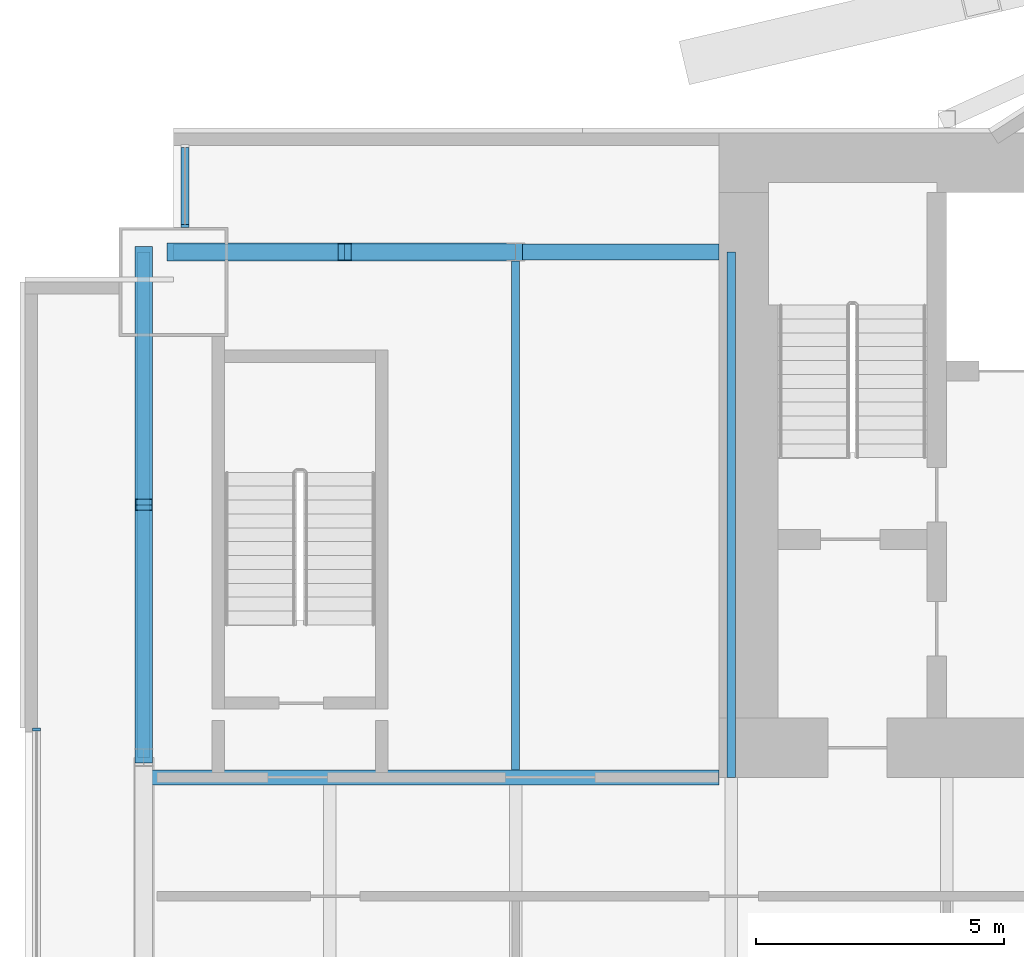
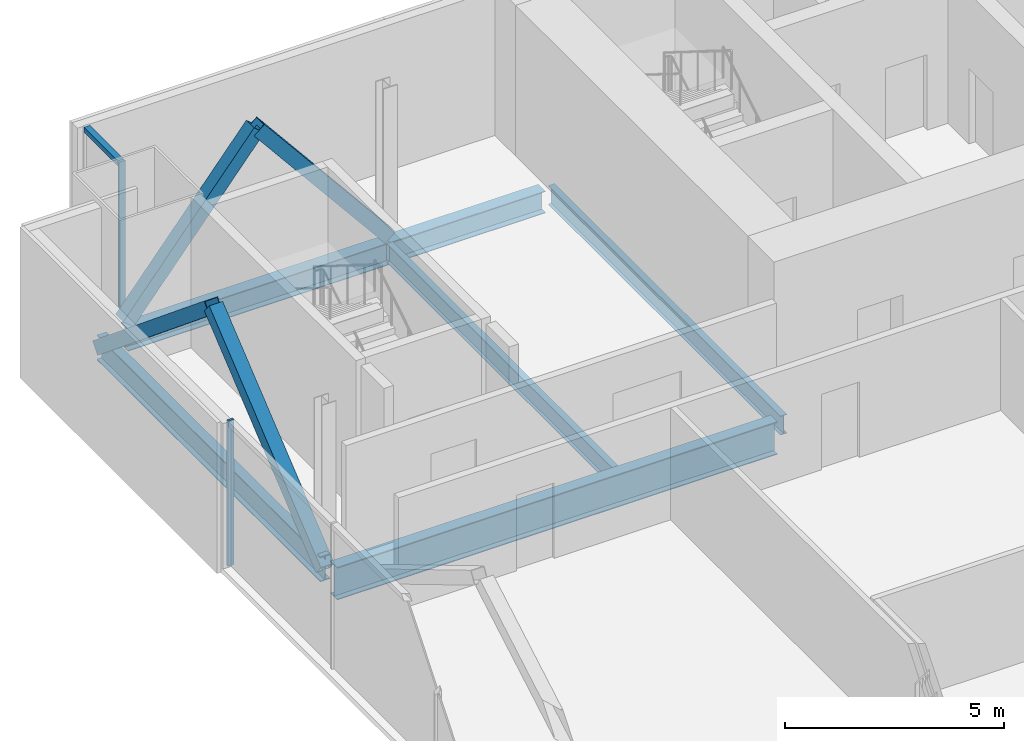
# One storey, part 8 of 22: 7 members, 6 beams, 2 elements without a shape of their own.
"""IFC4 building model written with IfcOpenShell, lengths in metres."""

from ifc_helpers import new_model, si_unit, direction, frame, origin, origin_2d, place, context, subcontext, project, spatial, rectangle, hollow_rectangle, i_section, extrude, material, material_profile, profile_set, type_object, element, aggregate, save


model = new_model("IFC4")

# Units and contexts
model_context = context("Model", 3, precision=1e-05, world=origin(), true_north=direction((0.0, 1.0)))
body_context = subcontext(model_context, "Body", "Model", "MODEL_VIEW")
ifc_project = project(units=[si_unit("LENGTHUNIT", "METRE"), si_unit("AREAUNIT", "SQUARE_METRE"), si_unit("VOLUMEUNIT", "CUBIC_METRE"), si_unit("PLANEANGLEUNIT", "RADIAN"), si_unit("MASSUNIT", "GRAM", prefix="KILO")], contexts=[model_context])

# Site, building, storey
site_placement = place(None, origin())
site = spatial("IfcSite", under=ifc_project, at=site_placement, CompositionType="ELEMENT")
building_placement = place(site_placement, origin())
building = spatial("IfcBuilding", under=site, at=building_placement, Name="Bicima Exchange Tower", CompositionType="ELEMENT")
storey_placement = place(building_placement, frame((0.0, 0.0, 254.0)))
storey = spatial("IfcBuildingStorey", under=building, at=storey_placement, Name="L57", CompositionType="ELEMENT", Elevation=254.0)

# Beam
ifc_material_1 = material(Name="Steel ASTM A992 Gr 50", Category="steel")
ifc_material_profile_1 = material_profile(ifc_material_1, i_section(OverallWidth=0.3046875, OverallDepth=0.911865234375, WebThickness=0.015869140625, FlangeThickness=0.02392578125, at=origin_2d()))
ifc_profile_set_1 = profile_set([ifc_material_profile_1], Name="Steel ASTM A992 Gr 50")
beam_type_1 = type_object("IfcBeamType", Name="Core-line girder W36x150", PredefinedType="BEAM", material=ifc_profile_set_1)
beam_1_placement = place(storey_placement, frame((-22.0, -13.0, -0.60595703125), z_axis=(-1.0, 0.0, 0.0), x_axis=(0.0, -1.0, 0.0)))
element("IfcBeam", 1, at=beam_1_placement, inside=storey, type_object=beam_type_1, Name="Core-line girder", PredefinedType="BEAM", context=body_context, shape_type="SweptSolid", body=[
    extrude(i_section(OverallWidth=0.3046875, OverallDepth=0.911865234375, WebThickness=0.015869140625, FlangeThickness=0.02392578125, at=origin_2d()), origin(), (0.0, 0.0, 1.0), 11.60009765625),
])

# Curtain wall, member
ifc_material_2 = material(Name="Anodised bronze aluminium", Category="aluminium")
curtain_wall_type_1 = type_object("IfcCurtainWallType", Name="End face glass wall", PredefinedType="NOTDEFINED", material=ifc_material_2)
curtain_wall_1_placement = place(storey_placement, origin())
curtain_wall_1 = element("IfcCurtainWall", 2, at=curtain_wall_1_placement, inside=storey, type_object=curtain_wall_type_1, Name="End face glass wall L57 run 2", PredefinedType="NOTDEFINED")
ifc_material_profile_2 = material_profile(ifc_material_2, rectangle(XDim=0.159912109375, YDim=0.06005859375, at=origin_2d()))
ifc_profile_set_2 = profile_set([ifc_material_profile_2], Name="Anodised bronze aluminium")
member_type_1 = type_object("IfcMemberType", Name="End face glass wall mullion 60 x 160", PredefinedType="MULLION", material=ifc_profile_set_2)
member_1_placement = place(storey_placement, frame((-35.77001953125, -12.030029296875, 0.0), z_axis=(0.0, 0.0, 1.0), x_axis=(1.0, 0.0, 0.0)))
member_1 = element("IfcMember", 3, at=member_1_placement, type_object=member_type_1, Name="End face glass wall mullion 1", PredefinedType="MULLION", context=body_context, shape_type="SweptSolid", body=[
    extrude(rectangle(XDim=0.159912109375, YDim=0.06005859375, at=origin_2d()), origin(), (0.0, 0.0, 1.0), 4.050048828125),
])
aggregate(curtain_wall_1, [member_1])

# Beams
ifc_material_profile_3 = material_profile(ifc_material_1, i_section(OverallWidth=0.256591796875, OverallDepth=0.693359375, WebThickness=0.014404296875, FlangeThickness=0.023681640625, at=origin_2d()))
ifc_profile_set_3 = profile_set([ifc_material_profile_3], Name="Steel ASTM A992 Gr 50")
beam_type_2 = type_object("IfcBeamType", Name="End girder W27x114", PredefinedType="BEAM", material=ifc_profile_set_3)
beam_2_placement = place(storey_placement, frame((-33.60009765625, -2.39990234375, -0.49658203125), z_axis=(0.0, -1.0, 0.0), x_axis=(1.0, 0.0, 0.0)))
element("IfcBeam", 4, at=beam_2_placement, inside=storey, type_object=beam_type_2, Name="End girder", PredefinedType="BEAM", context=body_context, shape_type="SweptSolid", body=[
    extrude(i_section(OverallWidth=0.256591796875, OverallDepth=0.693359375, WebThickness=0.014404296875, FlangeThickness=0.023681640625, at=origin_2d()), origin(), (0.0, 0.0, 1.0), 10.2001953125),
])
ifc_material_profile_4 = material_profile(ifc_material_1, i_section(OverallWidth=0.165771484375, OverallDepth=0.5283203125, WebThickness=0.009765625, FlangeThickness=0.013671875, at=origin_2d()))
ifc_profile_set_4 = profile_set([ifc_material_profile_4], Name="Steel ASTM A992 Gr 50")
beam_type_3 = type_object("IfcBeamType", Name="Floor beam W21x50", PredefinedType="JOIST", material=ifc_profile_set_4)
beam_3_placement = place(storey_placement, frame((-26.10009765625, -2.5625, -0.414306640625), z_axis=(0.0, -1.0, 0.0), x_axis=(1.0, 0.0, 0.0)))
element("IfcBeam", 5, at=beam_3_placement, inside=storey, type_object=beam_type_3, Name="Floor beam", PredefinedType="JOIST", context=body_context, shape_type="SweptSolid", body=[
    extrude(i_section(OverallWidth=0.165771484375, OverallDepth=0.5283203125, WebThickness=0.009765625, FlangeThickness=0.013671875, at=origin_2d()), origin(), (0.0, 0.0, 1.0), 10.28515625),
])
beam_4_placement = place(storey_placement, frame((-21.75, -2.39990234375, -0.414306640625), z_axis=(0.0, -1.0, 0.0), x_axis=(1.0, 0.0, 0.0)))
element("IfcBeam", 6, at=beam_4_placement, inside=storey, type_object=beam_type_3, Name="Floor beam", PredefinedType="JOIST", context=body_context, shape_type="SweptSolid", body=[
    extrude(i_section(OverallWidth=0.165771484375, OverallDepth=0.5283203125, WebThickness=0.009765625, FlangeThickness=0.013671875, at=origin_2d()), origin(), (0.0, 0.0, 1.0), 10.60009765625),
])

# Curtain wall, members
curtain_wall_type_2 = type_object("IfcCurtainWallType", Name="Front glass wall", PredefinedType="NOTDEFINED", material=ifc_material_2)
curtain_wall_2_placement = place(storey_placement, origin())
curtain_wall_2 = element("IfcCurtainWall", 7, at=curtain_wall_2_placement, inside=storey, type_object=curtain_wall_type_2, Name="Front glass wall L57 run 1", PredefinedType="NOTDEFINED")
member_type_2 = type_object("IfcMemberType", Name="Front glass wall mullion 60 x 160", PredefinedType="MULLION", material=ifc_profile_set_2)
member_2_placement = place(storey_placement, frame((-32.77001953125, -1.8701171875, 0.0), z_axis=(0.0, 0.0, 1.0), x_axis=(1.0, 0.0, 0.0)))
member_2 = element("IfcMember", 8, at=member_2_placement, type_object=member_type_2, Name="Front glass wall mullion 2", PredefinedType="MULLION", context=body_context, shape_type="SweptSolid", body=[
    extrude(rectangle(XDim=0.159912109375, YDim=0.06005859375, at=origin_2d()), origin(), (0.0, 0.0, 1.0), 4.050048828125),
])
ifc_material_profile_5 = material_profile(ifc_material_2, rectangle(XDim=0.159912109375, YDim=0.139892578125, at=origin_2d()))
ifc_profile_set_5 = profile_set([ifc_material_profile_5], Name="Anodised bronze aluminium")
member_type_3 = type_object("IfcMemberType", Name="Front glass wall transom 140 x 160", PredefinedType="USERDEFINED", material=ifc_profile_set_5)
member_3_placement = place(storey_placement, frame((-32.77001953125, -0.2900390625, 3.97998046875), z_axis=(0.0, -1.0, 0.0), x_axis=(1.0, 0.0, 0.0)))
member_3 = element("IfcMember", 9, at=member_3_placement, type_object=member_type_3, Name="Front glass wall transom 1.1", ObjectType="TRANSOM", PredefinedType="USERDEFINED", context=body_context, shape_type="SweptSolid", body=[
    extrude(rectangle(XDim=0.159912109375, YDim=0.139892578125, at=origin_2d()), origin(), (0.0, 0.0, 1.0), 1.550048828125),
])
aggregate(curtain_wall_2, [member_2, member_3])

# Members
ifc_material_3 = material(Name="Steel ASTM A572 Gr 50", Category="steel")
ifc_material_profile_6 = material_profile(ifc_material_3, hollow_rectangle(XDim=0.355712890625, YDim=0.355712890625, WallThickness=0.0146484375, at=origin_2d()))
ifc_profile_set_6 = profile_set([ifc_material_profile_6], Name="Steel ASTM A572 Gr 50")
member_type_4 = type_object("IfcMemberType", Name="Mega brace HSS14x14x5/8", PredefinedType="BRACE", material=ifc_profile_set_6)
for number, where, z_axis, x_axis, name in (
    (10, (-33.0, -2.39990234375, 0.0), (0.63473846547, 0.0, 0.772727041362), (0.0, 1.0, 0.0), "Mega brace rear"),
    (11, (-26.10009765625, -2.39990234375, 0.0), (-0.63473846547, 0.0, 0.772727041362), (0.0, -1.0, 0.0), "Mega brace rear"),
):
    element("IfcMember", number, at=place(storey_placement, frame(where, z_axis=z_axis, x_axis=x_axis)), inside=storey, type_object=member_type_4, Name=name, PredefinedType="BRACE", context=body_context, shape_type="SweptSolid", body=[
        extrude(hollow_rectangle(XDim=0.355712890625, YDim=0.355712890625, WallThickness=0.0146484375, at=origin_2d()), origin(), (0.0, 0.0, 1.0), 5.435302734375),
    ])
for number, where, z_axis, x_axis, name in (
    (12, (-33.60009765625, -2.39990234375, -0.49658203125), (0.0, -0.771939835586, 0.635695595576), (1.0, 0.0, 0.0), "Mega brace west end"),
    (13, (-33.60009765625, -12.60009765625, -0.49658203125), (0.0, 0.771939835586, 0.635695595576), (-1.0, 0.0, 0.0), "Mega brace west end"),
):
    element("IfcMember", number, at=place(storey_placement, frame(where, z_axis=z_axis, x_axis=x_axis)), inside=storey, type_object=member_type_4, Name=name, PredefinedType="BRACE", context=body_context, shape_type="SweptSolid", body=[
        extrude(hollow_rectangle(XDim=0.355712890625, YDim=0.355712890625, WallThickness=0.0146484375, at=origin_2d()), origin(), (0.0, 0.0, 1.0), 6.60693359375),
    ])

# Beams
ifc_material_profile_7 = material_profile(ifc_material_1, i_section(OverallWidth=0.3251953125, OverallDepth=0.612060546875, WebThickness=0.0126953125, FlangeThickness=0.01904296875, at=origin_2d()))
ifc_profile_set_7 = profile_set([ifc_material_profile_7], Name="Steel ASTM A992 Gr 50")
beam_type_4 = type_object("IfcBeamType", Name="Rear girder W24x104", PredefinedType="BEAM", material=ifc_profile_set_7)
beam_5_placement = place(storey_placement, frame((-22.0, -2.39990234375, -0.4560546875), z_axis=(-1.0, 0.0, 0.0), x_axis=(0.0, -1.0, 0.0)))
element("IfcBeam", 14, at=beam_5_placement, inside=storey, type_object=beam_type_4, Name="Rear girder", PredefinedType="BEAM", context=body_context, shape_type="SweptSolid", body=[
    extrude(i_section(OverallWidth=0.3251953125, OverallDepth=0.612060546875, WebThickness=0.0126953125, FlangeThickness=0.01904296875, at=origin_2d()), origin(), (0.0, 0.0, 1.0), 4.10009765625),
])
beam_6_placement = place(storey_placement, frame((-26.10009765625, -2.39990234375, -0.4560546875), z_axis=(-1.0, 0.0, 0.0), x_axis=(0.0, -1.0, 0.0)))
element("IfcBeam", 15, at=beam_6_placement, inside=storey, type_object=beam_type_4, Name="Rear girder", PredefinedType="BEAM", context=body_context, shape_type="SweptSolid", body=[
    extrude(i_section(OverallWidth=0.3251953125, OverallDepth=0.612060546875, WebThickness=0.0126953125, FlangeThickness=0.01904296875, at=origin_2d()), origin(), (0.0, 0.0, 1.0), 6.89990234375),
])

save(model, "model.ifc")
